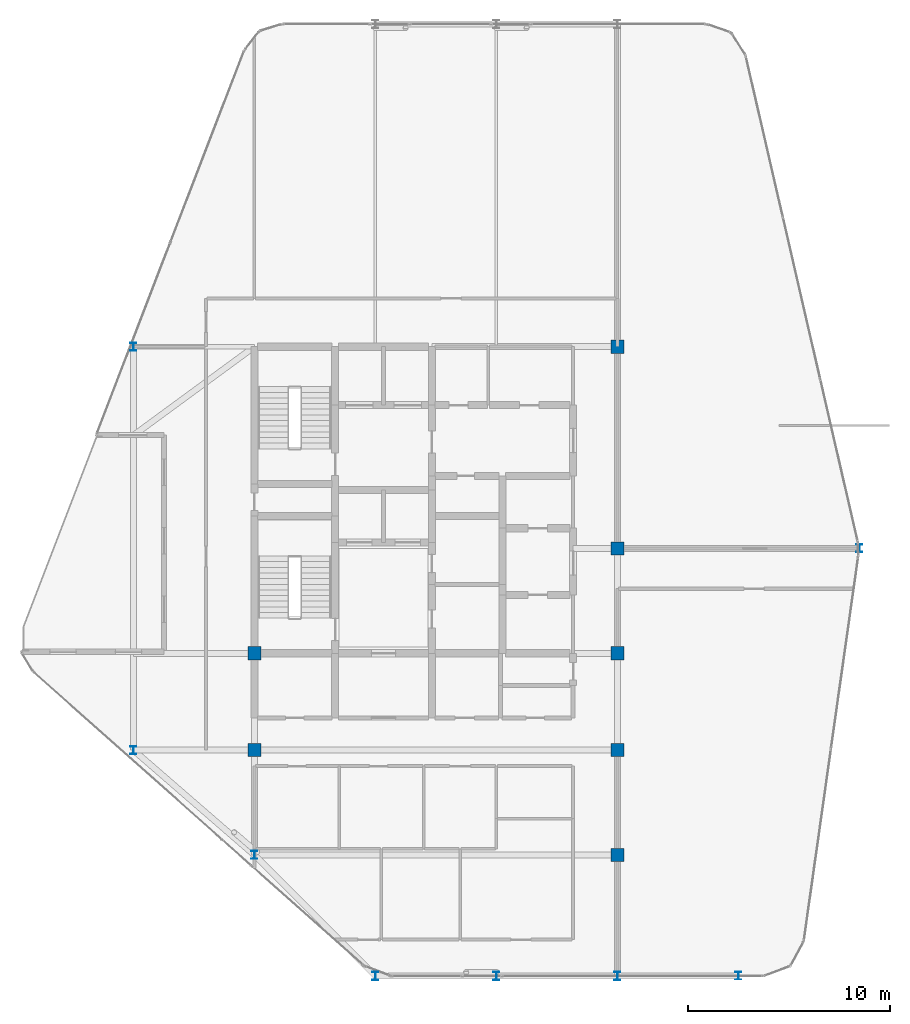
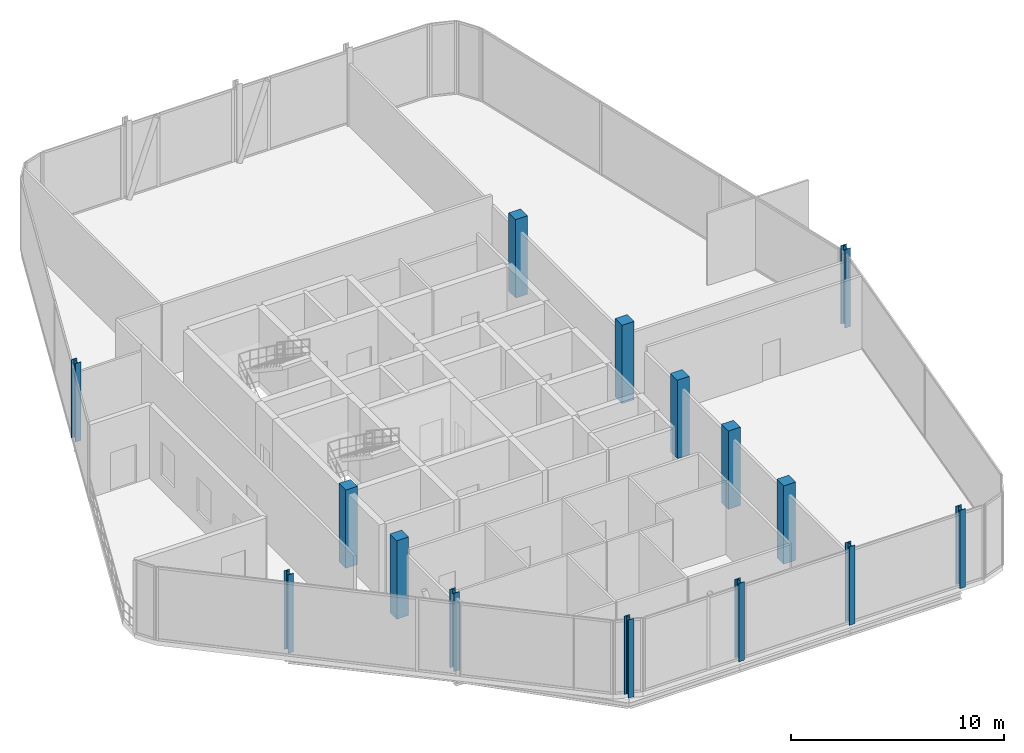
# One storey, part 1 of 24: 15 columns.
"""IFC4 building model written with IfcOpenShell, lengths in metres."""

from ifc_helpers import new_model, si_unit, direction, frame, origin, origin_2d, place, context, subcontext, project, spatial, rectangle, i_section, extrude, material, material_profile, profile_set, type_object, element, save


model = new_model("IFC4")

# Units and contexts
model_context = context("Model", 3, precision=1e-05, world=origin(), true_north=direction((0.0, 1.0)))
body_context = subcontext(model_context, "Body", "Model", "MODEL_VIEW")
ifc_project = project(units=[si_unit("LENGTHUNIT", "METRE"), si_unit("AREAUNIT", "SQUARE_METRE"), si_unit("VOLUMEUNIT", "CUBIC_METRE"), si_unit("PLANEANGLEUNIT", "RADIAN"), si_unit("MASSUNIT", "GRAM", prefix="KILO")], contexts=[model_context])

# Site, building, storey
site_placement = place(None, origin())
site = spatial("IfcSite", under=ifc_project, at=site_placement, CompositionType="ELEMENT")
building_placement = place(site_placement, origin())
building = spatial("IfcBuilding", under=site, at=building_placement, Name="Keshet Zoharim Tower", CompositionType="ELEMENT")
storey_placement = place(building_placement, frame((0.0, 0.0, 299.10009765625)))
storey = spatial("IfcBuildingStorey", under=building, at=storey_placement, Name="L75", CompositionType="ELEMENT", Elevation=299.10009765625)

# Columns
ifc_material_1 = material(Name="Steel S355", Category="steel")
ifc_material_profile_1 = material_profile(ifc_material_1, i_section(OverallWidth=0.300048828125, OverallDepth=0.39990234375, WebThickness=0.013427734375, FlangeThickness=0.02392578125, FilletRadius=0.027099609375, at=origin_2d()), Name="HEB400")
ifc_profile_set_1 = profile_set([ifc_material_profile_1], Name="Steel S355")
column_type_1 = type_object("IfcColumnType", Name="COL-HEB400", PredefinedType="COLUMN", material=ifc_profile_set_1)
for number, where, z_axis, x_axis, name in (
    (1, (9.0, 17.89990234375, 0.0), (0.0, 0.0, 1.0), (1.0, 0.0, 0.0), "L75 Column 2D"),
    (2, (9.0, 37.89990234375, 0.0), (0.0, 0.0, 1.0), (1.0, 0.0, 0.0), "L75 Column 2H"),
    (3, (15.0, 12.699951171875, 0.0), (0.0, 0.0, 1.0), (1.0, 0.0, 0.0), "L75 Column 3C"),
    (4, (21.0, 6.699951171875, 0.0), (0.0, 0.0, 1.0), (1.0, 0.0, 0.0), "L75 Column 4B"),
    (5, (27.0, 6.699951171875, 0.0), (0.0, 0.0, 1.0), (1.0, 0.0, 0.0), "L75 Column 5B"),
    (6, (33.0, 6.699951171875, 0.0), (0.0, 0.0, 1.0), (1.0, 0.0, 0.0), "L75 Column 6B"),
    (7, (39.0, 6.699951171875, 0.0), (0.0, 0.0, 1.0), (1.0, 0.0, 0.0), "L75 Column 7B"),
    (8, (45.0, 27.89990234375, 0.0), (0.0, 0.0, 1.0), (1.0, 0.0, 0.0), "L75 Column 8F"),
):
    element("IfcColumn", number, at=place(storey_placement, frame(where, z_axis=z_axis, x_axis=x_axis)), inside=storey, type_object=column_type_1, Name=name, PredefinedType="COLUMN", context=body_context, shape_type="SweptSolid", body=[
        extrude(i_section(OverallWidth=0.300048828125, OverallDepth=0.39990234375, WebThickness=0.013427734375, FlangeThickness=0.02392578125, FilletRadius=0.027099609375, at=origin_2d()), origin(), (0.0, 0.0, 1.0), 4.5),
    ])
ifc_material_2 = material(Name="Concrete C50/60", Category="concrete")
ifc_material_profile_2 = material_profile(ifc_material_2, rectangle(XDim=0.64990234375, YDim=0.64990234375, at=origin_2d()), Name="RC650x650")
ifc_profile_set_2 = profile_set([ifc_material_profile_2], Name="Concrete C50/60")
column_type_2 = type_object("IfcColumnType", Name="COL-RC650", PredefinedType="COLUMN", material=ifc_profile_set_2)
for number, where, z_axis, x_axis, name in (
    (9, (15.0, 17.89990234375, 0.0), (0.0, 0.0, 1.0), (1.0, 0.0, 0.0), "L75 Column 3D"),
    (10, (15.0, 22.699951171875, 0.0), (0.0, 0.0, 1.0), (1.0, 0.0, 0.0), "L75 Column 3E"),
    (11, (33.0, 12.699951171875, 0.0), (0.0, 0.0, 1.0), (1.0, 0.0, 0.0), "L75 Column 6C"),
    (12, (33.0, 17.89990234375, 0.0), (0.0, 0.0, 1.0), (1.0, 0.0, 0.0), "L75 Column 6D"),
    (13, (33.0, 22.699951171875, 0.0), (0.0, 0.0, 1.0), (1.0, 0.0, 0.0), "L75 Column 6E"),
    (14, (33.0, 27.89990234375, 0.0), (0.0, 0.0, 1.0), (1.0, 0.0, 0.0), "L75 Column 6F"),
    (15, (33.0, 37.89990234375, 0.0), (0.0, 0.0, 1.0), (1.0, 0.0, 0.0), "L75 Column 6H"),
):
    element("IfcColumn", number, at=place(storey_placement, frame(where, z_axis=z_axis, x_axis=x_axis)), inside=storey, type_object=column_type_2, Name=name, PredefinedType="COLUMN", context=body_context, shape_type="SweptSolid", body=[
        extrude(rectangle(XDim=0.64990234375, YDim=0.64990234375, at=origin_2d()), origin(), (0.0, 0.0, 1.0), 4.5),
    ])

save(model, "model.ifc")
